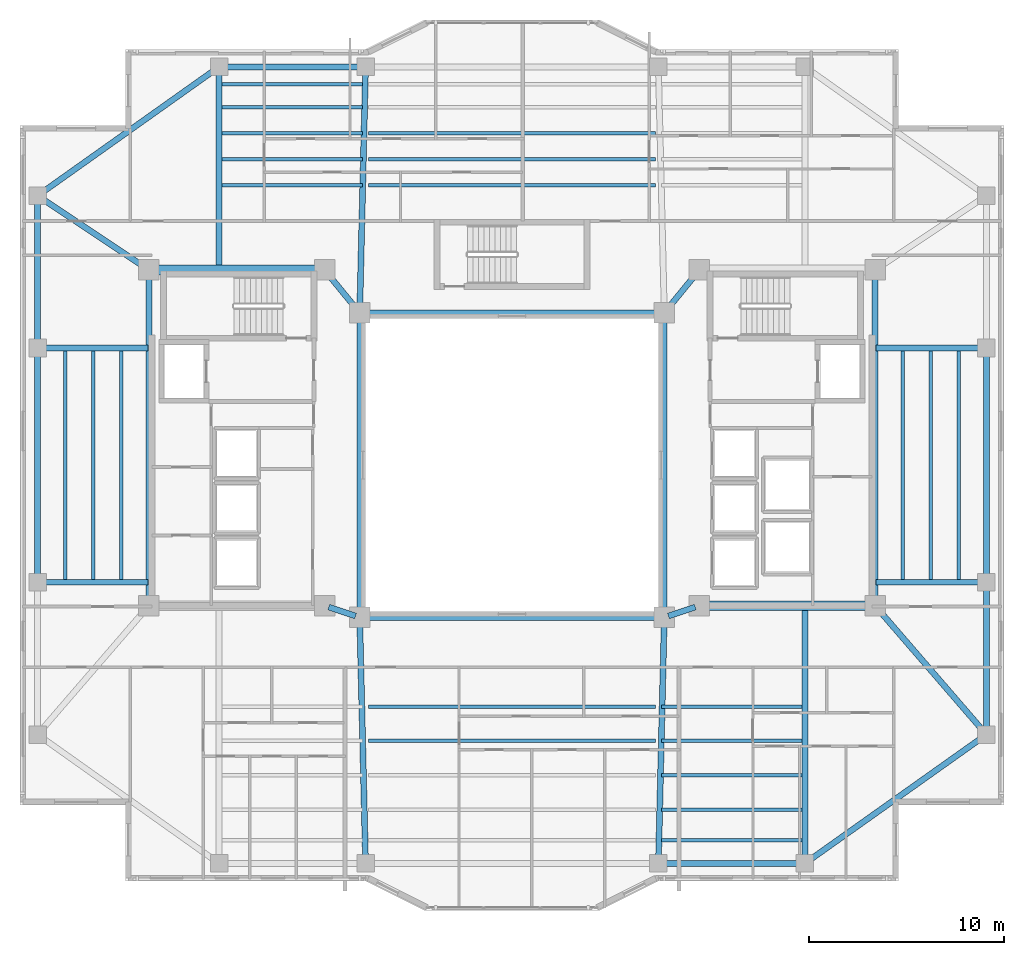
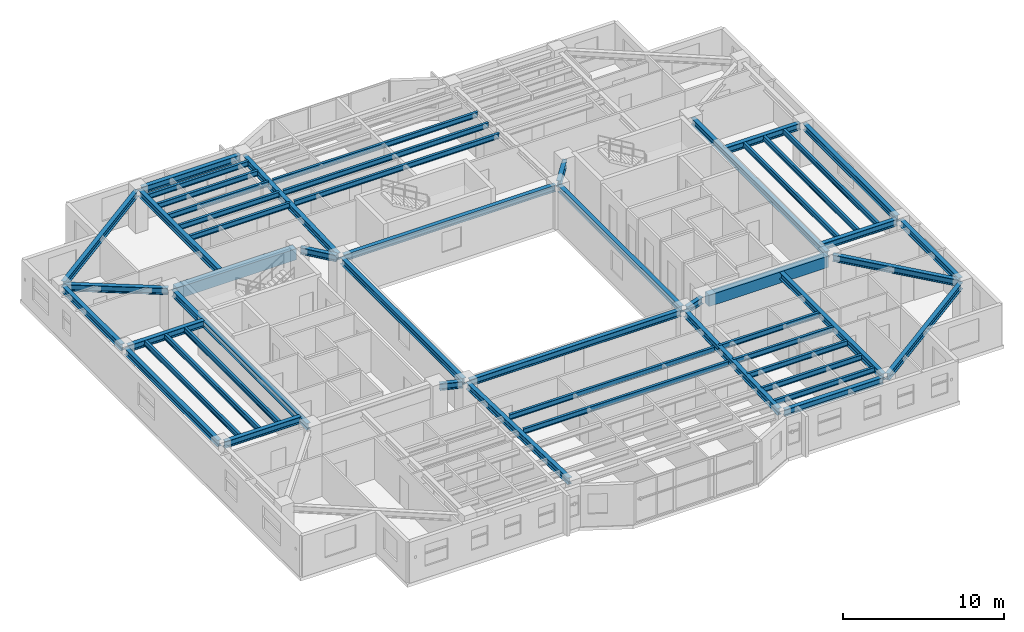
# One storey, part 3 of 16: 52 beams.
"""IFC4 building model written with IfcOpenShell, lengths in metres."""

from ifc_helpers import new_model, si_unit, direction, frame, origin, origin_2d, place, context, subcontext, project, spatial, rectangle, i_section, extrude, material, material_profile, profile_set, type_object, element, save


model = new_model("IFC4")

# Units and contexts
model_context = context("Model", 3, precision=1e-05, world=origin(), true_north=direction((0.0, 1.0)))
body_context = subcontext(model_context, "Body", "Model", "MODEL_VIEW")
ifc_project = project(units=[si_unit("LENGTHUNIT", "METRE"), si_unit("AREAUNIT", "SQUARE_METRE"), si_unit("VOLUMEUNIT", "CUBIC_METRE"), si_unit("PLANEANGLEUNIT", "RADIAN"), si_unit("MASSUNIT", "GRAM", prefix="KILO")], contexts=[model_context])

# Site, building, storey
site_placement = place(None, origin())
site = spatial("IfcSite", under=ifc_project, at=site_placement, CompositionType="ELEMENT")
building_placement = place(site_placement, origin())
building = spatial("IfcBuilding", under=site, at=building_placement, Name="Tarnavaz Court Tower", CompositionType="ELEMENT")
storey_placement = place(building_placement, frame((0.0, 0.0, 149.35009765625)))
storey = spatial("IfcBuildingStorey", under=building, at=storey_placement, Name="L40", CompositionType="ELEMENT", Elevation=149.35009765625)

# Beams
ifc_material_1 = material(Name="Concrete C50/60", Category="concrete")
ifc_material_profile_1 = material_profile(ifc_material_1, rectangle(XDim=0.5, YDim=0.85009765625, at=origin_2d()), Name="RC 500X850")
ifc_profile_set_1 = profile_set([ifc_material_profile_1], Name="Concrete C50/60")
beam_type_1 = type_object("IfcBeamType", Name="BM-CB850", PredefinedType="LINTEL", material=ifc_profile_set_1)
for number, where, z_axis, x_axis, name in (
    (1, (-18.3798828125, 10.0, 2.6748046875), (1.0, 0.0, 0.0), (0.0, 1.0, 0.0), "L40 Beam IN-CW-NO-CW-NI"),
    (2, (18.3798828125, -7.199951171875, 2.6748046875), (-1.0, 0.0, 0.0), (0.0, -1.0, 0.0), "L40 Beam IN-CE-SO-CE-SI"),
):
    element("IfcBeam", number, at=place(storey_placement, frame(where, z_axis=z_axis, x_axis=x_axis)), inside=storey, type_object=beam_type_1, Name=name, PredefinedType="LINTEL", context=body_context, shape_type="SweptSolid", body=[
        extrude(rectangle(XDim=0.5, YDim=0.85009765625, at=origin_2d()), origin(), (0.0, 0.0, 1.0), 8.559814453125),
    ])
ifc_material_2 = material(Name="Steel S355", Category="steel")
ifc_material_profile_2 = material_profile(ifc_material_2, i_section(OverallWidth=0.300048828125, OverallDepth=0.5, WebThickness=0.014404296875, FlangeThickness=0.028076171875, FilletRadius=0.027099609375, at=origin_2d()), Name="HEB 500")
ifc_profile_set_2 = profile_set([ifc_material_profile_2], Name="Steel S355")
beam_type_2 = type_object("IfcBeamType", Name="BM-G-HEB500", PredefinedType="USERDEFINED", material=ifc_profile_set_2)
for number, where, z_axis, x_axis, name in (
    (3, (-9.391357421875, -7.26953125, 2.849853515625), (0.948666544706, -0.316278021615, 0.0), (0.316278021615, 0.948666544706, 0.0), "L40 Beam IN-CW-SI-IW-SW"),
    (4, (9.391357421875, -7.26953125, 2.849853515625), (-0.948666544706, -0.316278021615, 0.0), (0.316278021615, -0.948666544706, 0.0), "L40 Beam IN-CE-SI-IW-SE"),
):
    element("IfcBeam", number, at=place(storey_placement, frame(where, z_axis=z_axis, x_axis=x_axis)), inside=storey, type_object=beam_type_2, Name=name, ObjectType="GIRDER", PredefinedType="USERDEFINED", context=body_context, shape_type="SweptSolid", body=[
        extrude(i_section(OverallWidth=0.300048828125, OverallDepth=0.5, WebThickness=0.014404296875, FlangeThickness=0.028076171875, FilletRadius=0.027099609375, at=origin_2d()), origin(), (0.0, 0.0, 1.0), 1.457275390625),
    ])
for number, where, z_axis, x_axis, name in (
    (5, (-9.460693359375, 9.82958984375, 2.849853515625), (0.633282058357, -0.773921077735, 0.0), (0.773921077735, 0.633282058357, 0.0), "L40 Beam IN-CW-NI-IW-NW"),
    (6, (9.460693359375, 9.82958984375, 2.849853515625), (-0.633282058357, -0.773921077735, 0.0), (0.773921077735, -0.633282058357, 0.0), "L40 Beam IN-CE-NI-IW-NE"),
):
    element("IfcBeam", number, at=place(storey_placement, frame(where, z_axis=z_axis, x_axis=x_axis)), inside=storey, type_object=beam_type_2, Name=name, ObjectType="GIRDER", PredefinedType="USERDEFINED", context=body_context, shape_type="SweptSolid", body=[
        extrude(i_section(OverallWidth=0.300048828125, OverallDepth=0.5, WebThickness=0.014404296875, FlangeThickness=0.028076171875, FilletRadius=0.027099609375, at=origin_2d()), origin(), (0.0, 0.0, 1.0), 2.402587890625),
    ])
for number, where, z_axis, x_axis, name in (
    (7, (-18.60009765625, -6.97998046875, 2.849853515625), (0.0, 1.0, 0.0), (-1.0, 0.0, 0.0), "L40 Beam IN-CW-SO-CW-NO"),
    (8, (18.60009765625, -6.97998046875, 2.849853515625), (0.0, 1.0, 0.0), (-1.0, 0.0, 0.0), "L40 Beam IN-CE-SO-CE-NO"),
):
    element("IfcBeam", number, at=place(storey_placement, frame(where, z_axis=z_axis, x_axis=x_axis)), inside=storey, type_object=beam_type_2, Name=name, ObjectType="GIRDER", PredefinedType="USERDEFINED", context=body_context, shape_type="SweptSolid", body=[
        extrude(i_section(OverallWidth=0.300048828125, OverallDepth=0.5, WebThickness=0.014404296875, FlangeThickness=0.028076171875, FilletRadius=0.027099609375, at=origin_2d()), origin(), (0.0, 0.0, 1.0), 16.760009765625),
    ])
beam_1_placement = place(storey_placement, frame((-15.0, 10.0400390625, 2.849853515625), z_axis=(0.0, 1.0, 0.0), x_axis=(-1.0, 0.0, 0.0)))
element("IfcBeam", 9, at=beam_1_placement, inside=storey, type_object=beam_type_2, Name="L40 Beam RG-01", ObjectType="GIRDER", PredefinedType="USERDEFINED", context=body_context, shape_type="SweptSolid", body=[
    extrude(i_section(OverallWidth=0.300048828125, OverallDepth=0.5, WebThickness=0.014404296875, FlangeThickness=0.028076171875, FilletRadius=0.027099609375, at=origin_2d()), origin(), (0.0, 0.0, 1.0), 10.139892578125),
])
for number, where, z_axis, x_axis, name in (
    (10, (-7.794921875, 8.02001953125, 2.849853515625), (0.023824748444, 0.999716150395, 0.0), (-0.999716150395, 0.023824748444, 0.0), "L40 Beam RG-02"),
    (11, (-7.794921875, -8.02001953125, 2.849853515625), (0.023824748444, -0.999716150395, 0.0), (0.999716150395, 0.023824748444, 0.0), "L40 Beam RG-06"),
    (12, (7.794921875, -8.02001953125, 2.849853515625), (-0.023824748444, -0.999716150395, 0.0), (0.999716150395, -0.023824748444, 0.0), "L40 Beam RG-07"),
):
    element("IfcBeam", number, at=place(storey_placement, frame(where, z_axis=z_axis, x_axis=x_axis)), inside=storey, type_object=beam_type_2, Name=name, ObjectType="GIRDER", PredefinedType="USERDEFINED", context=body_context, shape_type="SweptSolid", body=[
        extrude(i_section(OverallWidth=0.300048828125, OverallDepth=0.5, WebThickness=0.014404296875, FlangeThickness=0.028076171875, FilletRadius=0.027099609375, at=origin_2d()), origin(), (0.0, 0.0, 1.0), 12.16357421875),
    ])
beam_2_placement = place(storey_placement, frame((15.0, -7.239990234375, 2.849853515625), z_axis=(0.0, -1.0, 0.0), x_axis=(1.0, 0.0, 0.0)))
element("IfcBeam", 13, at=beam_2_placement, inside=storey, type_object=beam_type_2, Name="L40 Beam RG-08", ObjectType="GIRDER", PredefinedType="USERDEFINED", context=body_context, shape_type="SweptSolid", body=[
    extrude(i_section(OverallWidth=0.300048828125, OverallDepth=0.5, WebThickness=0.014404296875, FlangeThickness=0.028076171875, FilletRadius=0.027099609375, at=origin_2d()), origin(), (0.0, 0.0, 1.0), 12.93994140625),
])
for number, where, z_axis, x_axis, name in (
    (14, (18.639892578125, -6.0, 2.849853515625), (1.0, 0.0, 0.0), (0.0, 1.0, 0.0), "L40 Beam RG-09"),
    (15, (18.639892578125, 6.0, 2.849853515625), (1.0, 0.0, 0.0), (0.0, 1.0, 0.0), "L40 Beam RG-10"),
):
    element("IfcBeam", number, at=place(storey_placement, frame(where, z_axis=z_axis, x_axis=x_axis)), inside=storey, type_object=beam_type_2, Name=name, ObjectType="GIRDER", PredefinedType="USERDEFINED", context=body_context, shape_type="SweptSolid", body=[
        extrude(i_section(OverallWidth=0.300048828125, OverallDepth=0.5, WebThickness=0.014404296875, FlangeThickness=0.028076171875, FilletRadius=0.027099609375, at=origin_2d()), origin(), (0.0, 0.0, 1.0), 5.440185546875),
    ])
beam_3_placement = place(storey_placement, frame((18.743896484375, -7.366455078125, 2.849853515625), z_axis=(0.653610659012, -0.756830962914, 0.0), x_axis=(0.756830962914, 0.653610659012, 0.0)))
element("IfcBeam", 16, at=beam_3_placement, inside=storey, type_object=beam_type_2, Name="L40 Beam RG-11", ObjectType="GIRDER", PredefinedType="USERDEFINED", context=body_context, shape_type="SweptSolid", body=[
    extrude(i_section(OverallWidth=0.300048828125, OverallDepth=0.5, WebThickness=0.014404296875, FlangeThickness=0.028076171875, FilletRadius=0.027099609375, at=origin_2d()), origin(), (0.0, 0.0, 1.0), 8.28076171875),
])
for number, where, z_axis, x_axis, name in (
    (17, (-18.639892578125, -6.0, 2.849853515625), (-1.0, 0.0, 0.0), (0.0, -1.0, 0.0), "L40 Beam RG-13"),
    (18, (-18.639892578125, 6.0, 2.849853515625), (-1.0, 0.0, 0.0), (0.0, -1.0, 0.0), "L40 Beam RG-14"),
):
    element("IfcBeam", number, at=place(storey_placement, frame(where, z_axis=z_axis, x_axis=x_axis)), inside=storey, type_object=beam_type_2, Name=name, ObjectType="GIRDER", PredefinedType="USERDEFINED", context=body_context, shape_type="SweptSolid", body=[
        extrude(i_section(OverallWidth=0.300048828125, OverallDepth=0.5, WebThickness=0.014404296875, FlangeThickness=0.028076171875, FilletRadius=0.027099609375, at=origin_2d()), origin(), (0.0, 0.0, 1.0), 5.440185546875),
    ])
beam_4_placement = place(storey_placement, frame((-18.783203125, 10.1220703125, 2.849853515625), z_axis=(-0.832044435051, 0.554708985056, 0.0), x_axis=(-0.554708985056, -0.832044435051, 0.0)))
element("IfcBeam", 19, at=beam_4_placement, inside=storey, type_object=beam_type_2, Name="L40 Beam RG-16", ObjectType="GIRDER", PredefinedType="USERDEFINED", context=body_context, shape_type="SweptSolid", body=[
    extrude(i_section(OverallWidth=0.300048828125, OverallDepth=0.5, WebThickness=0.014404296875, FlangeThickness=0.028076171875, FilletRadius=0.027099609375, at=origin_2d()), origin(), (0.0, 0.0, 1.0), 6.410400390625),
])
ifc_material_profile_3 = material_profile(ifc_material_2, i_section(OverallWidth=0.179931640625, OverallDepth=0.39990234375, WebThickness=0.008544921875, FlangeThickness=0.013427734375, FilletRadius=0.02099609375, at=origin_2d()), Name="IPE 400")
ifc_profile_set_3 = profile_set([ifc_material_profile_3], Name="Steel S355")
beam_type_3 = type_object("IfcBeamType", Name="BM-J-IPE400", PredefinedType="JOIST", material=ifc_profile_set_3)
beam_5_placement = place(storey_placement, frame((-14.85009765625, 14.33203125, 2.89990234375), z_axis=(1.0, 0.0, 0.0), x_axis=(0.0, 1.0, 0.0)))
element("IfcBeam", 20, at=beam_5_placement, inside=storey, type_object=beam_type_3, Name="L40 Beam JN1-1", PredefinedType="JOIST", context=body_context, shape_type="SweptSolid", body=[
    extrude(i_section(OverallWidth=0.179931640625, OverallDepth=0.39990234375, WebThickness=0.008544921875, FlangeThickness=0.013427734375, FilletRadius=0.02099609375, at=origin_2d()), origin(), (0.0, 0.0, 1.0), 7.2001953125),
])
for number, where, z_axis, x_axis, name in (
    (21, (-7.35009765625, 14.33203125, 2.89990234375), (1.0, 0.0, 0.0), (0.0, 1.0, 0.0), "L40 Beam JN1-2"),
    (22, (-7.35009765625, -12.364013671875, 2.89990234375), (1.0, 0.0, 0.0), (0.0, 1.0, 0.0), "L40 Beam JS1-2"),
):
    element("IfcBeam", number, at=place(storey_placement, frame(where, z_axis=z_axis, x_axis=x_axis)), inside=storey, type_object=beam_type_3, Name=name, PredefinedType="JOIST", context=body_context, shape_type="SweptSolid", body=[
        extrude(i_section(OverallWidth=0.179931640625, OverallDepth=0.39990234375, WebThickness=0.008544921875, FlangeThickness=0.013427734375, FilletRadius=0.02099609375, at=origin_2d()), origin(), (0.0, 0.0, 1.0), 14.7001953125),
    ])
for number, where, z_axis, x_axis, name in (
    (23, (7.64990234375, -12.364013671875, 2.89990234375), (1.0, 0.0, 0.0), (0.0, 1.0, 0.0), "L40 Beam JS1-3"),
    (24, (-14.85009765625, 15.6640625, 2.89990234375), (1.0, 0.0, 0.0), (0.0, 1.0, 0.0), "L40 Beam JN2-1"),
):
    element("IfcBeam", number, at=place(storey_placement, frame(where, z_axis=z_axis, x_axis=x_axis)), inside=storey, type_object=beam_type_3, Name=name, PredefinedType="JOIST", context=body_context, shape_type="SweptSolid", body=[
        extrude(i_section(OverallWidth=0.179931640625, OverallDepth=0.39990234375, WebThickness=0.008544921875, FlangeThickness=0.013427734375, FilletRadius=0.02099609375, at=origin_2d()), origin(), (0.0, 0.0, 1.0), 7.2001953125),
    ])
for number, where, z_axis, x_axis, name in (
    (25, (-7.35009765625, 15.6640625, 2.89990234375), (1.0, 0.0, 0.0), (0.0, 1.0, 0.0), "L40 Beam JN2-2"),
    (26, (-7.35009765625, -14.1279296875, 2.89990234375), (1.0, 0.0, 0.0), (0.0, 1.0, 0.0), "L40 Beam JS2-2"),
):
    element("IfcBeam", number, at=place(storey_placement, frame(where, z_axis=z_axis, x_axis=x_axis)), inside=storey, type_object=beam_type_3, Name=name, PredefinedType="JOIST", context=body_context, shape_type="SweptSolid", body=[
        extrude(i_section(OverallWidth=0.179931640625, OverallDepth=0.39990234375, WebThickness=0.008544921875, FlangeThickness=0.013427734375, FilletRadius=0.02099609375, at=origin_2d()), origin(), (0.0, 0.0, 1.0), 14.7001953125),
    ])
for number, where, z_axis, x_axis, name in (
    (27, (7.64990234375, -14.1279296875, 2.89990234375), (1.0, 0.0, 0.0), (0.0, 1.0, 0.0), "L40 Beam JS2-3"),
    (28, (-14.85009765625, 16.99609375, 2.89990234375), (1.0, 0.0, 0.0), (0.0, 1.0, 0.0), "L40 Beam JN3-1"),
):
    element("IfcBeam", number, at=place(storey_placement, frame(where, z_axis=z_axis, x_axis=x_axis)), inside=storey, type_object=beam_type_3, Name=name, PredefinedType="JOIST", context=body_context, shape_type="SweptSolid", body=[
        extrude(i_section(OverallWidth=0.179931640625, OverallDepth=0.39990234375, WebThickness=0.008544921875, FlangeThickness=0.013427734375, FilletRadius=0.02099609375, at=origin_2d()), origin(), (0.0, 0.0, 1.0), 7.2001953125),
    ])
beam_6_placement = place(storey_placement, frame((-7.35009765625, 16.99609375, 2.89990234375), z_axis=(1.0, 0.0, 0.0), x_axis=(0.0, 1.0, 0.0)))
element("IfcBeam", 29, at=beam_6_placement, inside=storey, type_object=beam_type_3, Name="L40 Beam JN3-2", PredefinedType="JOIST", context=body_context, shape_type="SweptSolid", body=[
    extrude(i_section(OverallWidth=0.179931640625, OverallDepth=0.39990234375, WebThickness=0.008544921875, FlangeThickness=0.013427734375, FilletRadius=0.02099609375, at=origin_2d()), origin(), (0.0, 0.0, 1.0), 14.7001953125),
])
for number, where, z_axis, x_axis, name in (
    (30, (7.64990234375, -15.89208984375, 2.89990234375), (1.0, 0.0, 0.0), (0.0, 1.0, 0.0), "L40 Beam JS3-3"),
    (31, (-14.85009765625, 18.327880859375, 2.89990234375), (1.0, 0.0, 0.0), (0.0, 1.0, 0.0), "L40 Beam JN4-1"),
    (32, (7.64990234375, -17.656005859375, 2.89990234375), (1.0, 0.0, 0.0), (0.0, 1.0, 0.0), "L40 Beam JS4-3"),
    (33, (-14.85009765625, 19.511962890625, 2.89990234375), (1.0, 0.0, 0.0), (0.0, 1.0, 0.0), "L40 Beam JN5-1"),
    (34, (7.64990234375, -19.22412109375, 2.89990234375), (1.0, 0.0, 0.0), (0.0, 1.0, 0.0), "L40 Beam JS5-3"),
):
    element("IfcBeam", number, at=place(storey_placement, frame(where, z_axis=z_axis, x_axis=x_axis)), inside=storey, type_object=beam_type_3, Name=name, PredefinedType="JOIST", context=body_context, shape_type="SweptSolid", body=[
        extrude(i_section(OverallWidth=0.179931640625, OverallDepth=0.39990234375, WebThickness=0.008544921875, FlangeThickness=0.013427734375, FilletRadius=0.02099609375, at=origin_2d()), origin(), (0.0, 0.0, 1.0), 7.2001953125),
    ])
for number, where, z_axis, x_axis, name in (
    (35, (20.02490234375, -5.9599609375, 2.89990234375), (0.0, 1.0, 0.0), (-1.0, 0.0, 0.0), "L40 Beam JE1"),
    (36, (-20.02490234375, -5.9599609375, 2.89990234375), (0.0, 1.0, 0.0), (-1.0, 0.0, 0.0), "L40 Beam JW1"),
    (37, (21.449951171875, -5.9599609375, 2.89990234375), (0.0, 1.0, 0.0), (-1.0, 0.0, 0.0), "L40 Beam JE2"),
    (38, (-21.449951171875, -5.9599609375, 2.89990234375), (0.0, 1.0, 0.0), (-1.0, 0.0, 0.0), "L40 Beam JW2"),
    (39, (22.875, -5.9599609375, 2.89990234375), (0.0, 1.0, 0.0), (-1.0, 0.0, 0.0), "L40 Beam JE3"),
    (40, (-22.875, -5.9599609375, 2.89990234375), (0.0, 1.0, 0.0), (-1.0, 0.0, 0.0), "L40 Beam JW3"),
):
    element("IfcBeam", number, at=place(storey_placement, frame(where, z_axis=z_axis, x_axis=x_axis)), inside=storey, type_object=beam_type_3, Name=name, PredefinedType="JOIST", context=body_context, shape_type="SweptSolid", body=[
        extrude(i_section(OverallWidth=0.179931640625, OverallDepth=0.39990234375, WebThickness=0.008544921875, FlangeThickness=0.013427734375, FilletRadius=0.02099609375, at=origin_2d()), origin(), (0.0, 0.0, 1.0), 11.919921875),
    ])
ifc_material_profile_4 = material_profile(ifc_material_2, i_section(OverallWidth=0.300048828125, OverallDepth=0.489990234375, WebThickness=0.011962890625, FlangeThickness=0.02294921875, FilletRadius=0.027099609375, at=origin_2d()), Name="HEA 500")
ifc_profile_set_4 = profile_set([ifc_material_profile_4], Name="Steel S355")
beam_type_4 = type_object("IfcBeamType", Name="BM-SP-HEA500", PredefinedType="SPANDREL", material=ifc_profile_set_4)
for number, where, z_axis, x_axis, name in (
    (41, (-7.580078125, -7.800048828125, 2.85498046875), (1.0, 0.0, 0.0), (0.0, 1.0, 0.0), "L40 Beam IN-IW-SW-IW-SE"),
    (42, (-7.580078125, 7.800048828125, 2.85498046875), (1.0, 0.0, 0.0), (0.0, 1.0, 0.0), "L40 Beam IN-IW-NW-IW-NE"),
    (43, (-7.800048828125, -7.580078125, 2.85498046875), (0.0, 1.0, 0.0), (-1.0, 0.0, 0.0), "L40 Beam IN-IW-SW-IW-NW"),
    (44, (7.800048828125, -7.580078125, 2.85498046875), (0.0, 1.0, 0.0), (-1.0, 0.0, 0.0), "L40 Beam IN-IW-SE-IW-NE"),
):
    element("IfcBeam", number, at=place(storey_placement, frame(where, z_axis=z_axis, x_axis=x_axis)), inside=storey, type_object=beam_type_4, Name=name, PredefinedType="SPANDREL", context=body_context, shape_type="SweptSolid", body=[
        extrude(i_section(OverallWidth=0.300048828125, OverallDepth=0.489990234375, WebThickness=0.011962890625, FlangeThickness=0.02294921875, FilletRadius=0.027099609375, at=origin_2d()), origin(), (0.0, 0.0, 1.0), 15.16015625),
    ])
for number, where, z_axis, x_axis, name in (
    (45, (-14.780029296875, 20.39990234375, 2.85498046875), (1.0, 0.0, 0.0), (0.0, 1.0, 0.0), "L40 Beam PR-PN-1-PN-2"),
    (46, (7.719970703125, -20.39990234375, 2.85498046875), (1.0, 0.0, 0.0), (0.0, 1.0, 0.0), "L40 Beam PR-PS-3-PS-4"),
):
    element("IfcBeam", number, at=place(storey_placement, frame(where, z_axis=z_axis, x_axis=x_axis)), inside=storey, type_object=beam_type_4, Name=name, PredefinedType="SPANDREL", context=body_context, shape_type="SweptSolid", body=[
        extrude(i_section(OverallWidth=0.300048828125, OverallDepth=0.489990234375, WebThickness=0.011962890625, FlangeThickness=0.02294921875, FilletRadius=0.027099609375, at=origin_2d()), origin(), (0.0, 0.0, 1.0), 7.06005859375),
    ])
beam_7_placement = place(storey_placement, frame((24.300048828125, -13.580078125, 2.85498046875), z_axis=(0.0, 1.0, 0.0), x_axis=(-1.0, 0.0, 0.0)))
element("IfcBeam", 47, at=beam_7_placement, inside=storey, type_object=beam_type_4, Name="L40 Beam PR-PE-1-PE-2", PredefinedType="SPANDREL", context=body_context, shape_type="SweptSolid", body=[
    extrude(i_section(OverallWidth=0.300048828125, OverallDepth=0.489990234375, WebThickness=0.011962890625, FlangeThickness=0.02294921875, FilletRadius=0.027099609375, at=origin_2d()), origin(), (0.0, 0.0, 1.0), 7.360107421875),
])
for number, where, z_axis, x_axis, name in (
    (48, (24.300048828125, -5.780029296875, 2.85498046875), (0.0, 1.0, 0.0), (-1.0, 0.0, 0.0), "L40 Beam PR-PE-2-PE-3"),
    (49, (-24.300048828125, -5.780029296875, 2.85498046875), (0.0, 1.0, 0.0), (-1.0, 0.0, 0.0), "L40 Beam PR-PW-2-PW-3"),
):
    element("IfcBeam", number, at=place(storey_placement, frame(where, z_axis=z_axis, x_axis=x_axis)), inside=storey, type_object=beam_type_4, Name=name, PredefinedType="SPANDREL", context=body_context, shape_type="SweptSolid", body=[
        extrude(i_section(OverallWidth=0.300048828125, OverallDepth=0.489990234375, WebThickness=0.011962890625, FlangeThickness=0.02294921875, FilletRadius=0.027099609375, at=origin_2d()), origin(), (0.0, 0.0, 1.0), 11.56005859375),
    ])
beam_8_placement = place(storey_placement, frame((-24.300048828125, 6.219970703125, 2.85498046875), z_axis=(0.0, 1.0, 0.0), x_axis=(-1.0, 0.0, 0.0)))
element("IfcBeam", 50, at=beam_8_placement, inside=storey, type_object=beam_type_4, Name="L40 Beam PR-PW-3-PW-4", PredefinedType="SPANDREL", context=body_context, shape_type="SweptSolid", body=[
    extrude(i_section(OverallWidth=0.300048828125, OverallDepth=0.489990234375, WebThickness=0.011962890625, FlangeThickness=0.02294921875, FilletRadius=0.027099609375, at=origin_2d()), origin(), (0.0, 0.0, 1.0), 7.360107421875),
])
for number, where, z_axis, x_axis, name in (
    (51, (24.12060546875, -13.92724609375, 2.85498046875), (-0.815502059396, -0.57875417158, 0.0), (0.57875417158, -0.815502059396, 0.0), "L40 Beam PR-PE-1-PS-4"),
    (52, (-24.12060546875, 13.92724609375, 2.85498046875), (0.815502059396, 0.57875417158, 0.0), (-0.57875417158, 0.815502059396, 0.0), "L40 Beam PR-PW-4-PN-1"),
):
    element("IfcBeam", number, at=place(storey_placement, frame(where, z_axis=z_axis, x_axis=x_axis)), inside=storey, type_object=beam_type_4, Name=name, PredefinedType="SPANDREL", context=body_context, shape_type="SweptSolid", body=[
        extrude(i_section(OverallWidth=0.300048828125, OverallDepth=0.489990234375, WebThickness=0.011962890625, FlangeThickness=0.02294921875, FilletRadius=0.027099609375, at=origin_2d()), origin(), (0.0, 0.0, 1.0), 10.964111328125),
    ])

save(model, "model.ifc")
